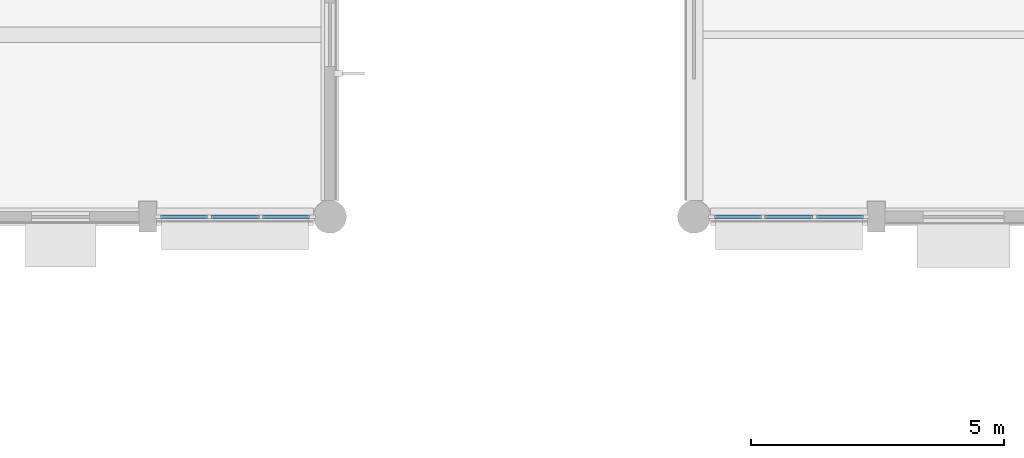
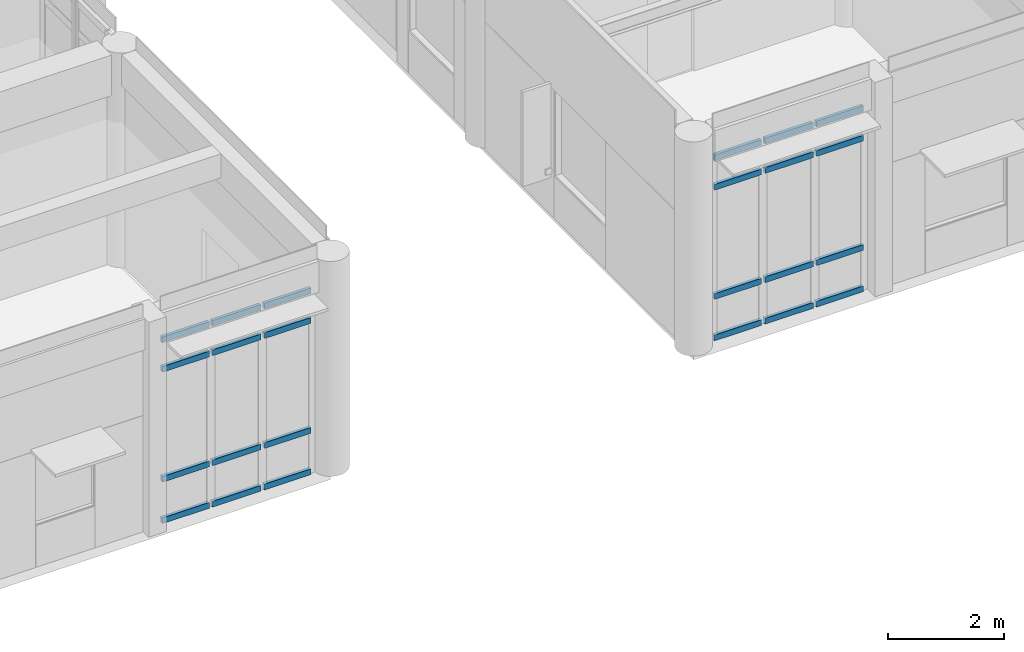
# One storey, part 32 of 92: 24 members, 2 elements without a shape of their own.
"""IFC4 building model written with IfcOpenShell, lengths in metres."""

from ifc_helpers import new_model, si_unit, direction, frame, origin, origin_2d, place, context, subcontext, project, spatial, rectangle, extrude, material, layer, layer_set, material_profile, profile_set, type_object, element, aggregate, save


model = new_model("IFC4")

# Units and contexts
model_context = context("Model", 3, precision=1e-05, world=origin(), true_north=direction((0.0, 1.0)))
body_context = subcontext(model_context, "Body", "Model", "MODEL_VIEW")
ifc_project = project(units=[si_unit("LENGTHUNIT", "METRE"), si_unit("AREAUNIT", "SQUARE_METRE"), si_unit("VOLUMEUNIT", "CUBIC_METRE"), si_unit("PLANEANGLEUNIT", "RADIAN"), si_unit("MASSUNIT", "GRAM", prefix="KILO")], contexts=[model_context])

# Site, building, storey
site_placement = place(None, origin())
site = spatial("IfcSite", under=ifc_project, at=site_placement, CompositionType="ELEMENT")
building_placement = place(site_placement, origin())
building = spatial("IfcBuilding", under=site, at=building_placement, Name="Namkhue Oval Health Centre", CompositionType="ELEMENT")
storey_placement = place(building_placement, frame((0.0, 0.0, 4.800048828125)))
storey = spatial("IfcBuildingStorey", under=building, at=storey_placement, Name="L01", CompositionType="ELEMENT", Elevation=4.800048828125)

# Curtain wall, members
ifc_material = material(Name="Anodised aluminium EN AW-6063 T6", Category="aluminium")
ifc_layer = layer(ifc_material, 0.159912109375)
ifc_layer_set = layer_set([ifc_layer], Name="Anodised aluminium EN AW-6063 T6")
curtain_wall_type = type_object("IfcCurtainWallType", Name="UNITISED CURTAIN WALL M1200", PredefinedType="NOTDEFINED", material=ifc_layer_set)
curtain_wall_1_placement = place(storey_placement, origin())
curtain_wall_1 = element("IfcCurtainWall", 1, at=curtain_wall_1_placement, inside=storey, type_object=curtain_wall_type, Name="Volume V4 L01 Unitised Curtain Wall 151", PredefinedType="NOTDEFINED")
ifc_material_profile = material_profile(ifc_material, rectangle(XDim=0.06494140625, YDim=0.1201171875, at=origin_2d()), Name="ALU 65x120")
ifc_profile_set = profile_set([ifc_material_profile], Name="Anodised aluminium EN AW-6063 T6")
member_type = type_object("IfcMemberType", Name="CURTAIN WALL TRANSOM 65X120", PredefinedType="USERDEFINED", material=ifc_profile_set)
member_1_placement = place(storey_placement, frame((83.051025390625, 14.39990234375, 0.032470703125), z_axis=(1.0, 0.0, 0.0), x_axis=(0.0, 1.0, 0.0)))
member_1 = element("IfcMember", 2, at=member_1_placement, type_object=member_type, Name="CW-01 transom 1.1", ObjectType="TRANSOM", PredefinedType="USERDEFINED", context=body_context, shape_type="SweptSolid", body=[
    extrude(rectangle(XDim=0.06494140625, YDim=0.1201171875, at=origin_2d()), origin(), (0.0, 0.0, 1.0), 0.9287109375),
])
member_2_placement = place(storey_placement, frame((83.051025390625, 14.39990234375, 0.89990234375), z_axis=(1.0, 0.0, 0.0), x_axis=(0.0, 1.0, 0.0)))
member_2 = element("IfcMember", 3, at=member_2_placement, type_object=member_type, Name="CW-01 transom 1.2", ObjectType="TRANSOM", PredefinedType="USERDEFINED", context=body_context, shape_type="SweptSolid", body=[
    extrude(rectangle(XDim=0.06494140625, YDim=0.1201171875, at=origin_2d()), origin(), (0.0, 0.0, 1.0), 0.9287109375),
])
member_3_placement = place(storey_placement, frame((83.051025390625, 14.39990234375, 3.204833984375), z_axis=(1.0, 0.0, 0.0), x_axis=(0.0, 1.0, 0.0)))
member_3 = element("IfcMember", 4, at=member_3_placement, type_object=member_type, Name="CW-01 transom 1.3", ObjectType="TRANSOM", PredefinedType="USERDEFINED", context=body_context, shape_type="SweptSolid", body=[
    extrude(rectangle(XDim=0.06494140625, YDim=0.1201171875, at=origin_2d()), origin(), (0.0, 0.0, 1.0), 0.9287109375),
])
member_4_placement = place(storey_placement, frame((83.051025390625, 14.39990234375, 3.822509765625), z_axis=(1.0, 0.0, 0.0), x_axis=(0.0, 1.0, 0.0)))
member_4 = element("IfcMember", 5, at=member_4_placement, type_object=member_type, Name="CW-01 transom 1.4", ObjectType="TRANSOM", PredefinedType="USERDEFINED", context=body_context, shape_type="SweptSolid", body=[
    extrude(rectangle(XDim=0.06494140625, YDim=0.1201171875, at=origin_2d()), origin(), (0.0, 0.0, 1.0), 0.9287109375),
])
member_5_placement = place(storey_placement, frame((84.044921875, 14.39990234375, 0.032470703125), z_axis=(1.0, 0.0, 0.0), x_axis=(0.0, 1.0, 0.0)))
member_5 = element("IfcMember", 6, at=member_5_placement, type_object=member_type, Name="CW-01 transom 2.1", ObjectType="TRANSOM", PredefinedType="USERDEFINED", context=body_context, shape_type="SweptSolid", body=[
    extrude(rectangle(XDim=0.06494140625, YDim=0.1201171875, at=origin_2d()), origin(), (0.0, 0.0, 1.0), 0.961181640625),
])
member_6_placement = place(storey_placement, frame((84.044921875, 14.39990234375, 0.89990234375), z_axis=(1.0, 0.0, 0.0), x_axis=(0.0, 1.0, 0.0)))
member_6 = element("IfcMember", 7, at=member_6_placement, type_object=member_type, Name="CW-01 transom 2.2", ObjectType="TRANSOM", PredefinedType="USERDEFINED", context=body_context, shape_type="SweptSolid", body=[
    extrude(rectangle(XDim=0.06494140625, YDim=0.1201171875, at=origin_2d()), origin(), (0.0, 0.0, 1.0), 0.961181640625),
])
member_7_placement = place(storey_placement, frame((84.044921875, 14.39990234375, 3.204833984375), z_axis=(1.0, 0.0, 0.0), x_axis=(0.0, 1.0, 0.0)))
member_7 = element("IfcMember", 8, at=member_7_placement, type_object=member_type, Name="CW-01 transom 2.3", ObjectType="TRANSOM", PredefinedType="USERDEFINED", context=body_context, shape_type="SweptSolid", body=[
    extrude(rectangle(XDim=0.06494140625, YDim=0.1201171875, at=origin_2d()), origin(), (0.0, 0.0, 1.0), 0.961181640625),
])
member_8_placement = place(storey_placement, frame((84.044921875, 14.39990234375, 3.822509765625), z_axis=(1.0, 0.0, 0.0), x_axis=(0.0, 1.0, 0.0)))
member_8 = element("IfcMember", 9, at=member_8_placement, type_object=member_type, Name="CW-01 transom 2.4", ObjectType="TRANSOM", PredefinedType="USERDEFINED", context=body_context, shape_type="SweptSolid", body=[
    extrude(rectangle(XDim=0.06494140625, YDim=0.1201171875, at=origin_2d()), origin(), (0.0, 0.0, 1.0), 0.961181640625),
])
member_9_placement = place(storey_placement, frame((85.071044921875, 14.39990234375, 0.032470703125), z_axis=(1.0, 0.0, 0.0), x_axis=(0.0, 1.0, 0.0)))
member_9 = element("IfcMember", 10, at=member_9_placement, type_object=member_type, Name="CW-01 transom 3.1", ObjectType="TRANSOM", PredefinedType="USERDEFINED", context=body_context, shape_type="SweptSolid", body=[
    extrude(rectangle(XDim=0.06494140625, YDim=0.1201171875, at=origin_2d()), origin(), (0.0, 0.0, 1.0), 0.928955078125),
])
member_10_placement = place(storey_placement, frame((85.071044921875, 14.39990234375, 0.89990234375), z_axis=(1.0, 0.0, 0.0), x_axis=(0.0, 1.0, 0.0)))
member_10 = element("IfcMember", 11, at=member_10_placement, type_object=member_type, Name="CW-01 transom 3.2", ObjectType="TRANSOM", PredefinedType="USERDEFINED", context=body_context, shape_type="SweptSolid", body=[
    extrude(rectangle(XDim=0.06494140625, YDim=0.1201171875, at=origin_2d()), origin(), (0.0, 0.0, 1.0), 0.928955078125),
])
member_11_placement = place(storey_placement, frame((85.071044921875, 14.39990234375, 3.204833984375), z_axis=(1.0, 0.0, 0.0), x_axis=(0.0, 1.0, 0.0)))
member_11 = element("IfcMember", 12, at=member_11_placement, type_object=member_type, Name="CW-01 transom 3.3", ObjectType="TRANSOM", PredefinedType="USERDEFINED", context=body_context, shape_type="SweptSolid", body=[
    extrude(rectangle(XDim=0.06494140625, YDim=0.1201171875, at=origin_2d()), origin(), (0.0, 0.0, 1.0), 0.928955078125),
])
member_12_placement = place(storey_placement, frame((85.071044921875, 14.39990234375, 3.822509765625), z_axis=(1.0, 0.0, 0.0), x_axis=(0.0, 1.0, 0.0)))
member_12 = element("IfcMember", 13, at=member_12_placement, type_object=member_type, Name="CW-01 transom 3.4", ObjectType="TRANSOM", PredefinedType="USERDEFINED", context=body_context, shape_type="SweptSolid", body=[
    extrude(rectangle(XDim=0.06494140625, YDim=0.1201171875, at=origin_2d()), origin(), (0.0, 0.0, 1.0), 0.928955078125),
])
aggregate(curtain_wall_1, [member_1, member_2, member_3, member_4, member_5, member_6, member_7, member_8, member_9, member_10, member_11, member_12])

curtain_wall_2_placement = place(storey_placement, origin())
curtain_wall_2 = element("IfcCurtainWall", 14, at=curtain_wall_2_placement, inside=storey, type_object=curtain_wall_type, Name="Volume V5 L01 Unitised Curtain Wall 187", PredefinedType="NOTDEFINED")
member_13_placement = place(storey_placement, frame((94.0, 14.39990234375, 0.032470703125), z_axis=(1.0, 0.0, 0.0), x_axis=(0.0, 1.0, 0.0)))
member_13 = element("IfcMember", 15, at=member_13_placement, type_object=member_type, Name="CW-01 transom 1.1", ObjectType="TRANSOM", PredefinedType="USERDEFINED", context=body_context, shape_type="SweptSolid", body=[
    extrude(rectangle(XDim=0.06494140625, YDim=0.1201171875, at=origin_2d()), origin(), (0.0, 0.0, 1.0), 0.928955078125),
])
member_14_placement = place(storey_placement, frame((94.0, 14.39990234375, 0.89990234375), z_axis=(1.0, 0.0, 0.0), x_axis=(0.0, 1.0, 0.0)))
member_14 = element("IfcMember", 16, at=member_14_placement, type_object=member_type, Name="CW-01 transom 1.2", ObjectType="TRANSOM", PredefinedType="USERDEFINED", context=body_context, shape_type="SweptSolid", body=[
    extrude(rectangle(XDim=0.06494140625, YDim=0.1201171875, at=origin_2d()), origin(), (0.0, 0.0, 1.0), 0.928955078125),
])
member_15_placement = place(storey_placement, frame((94.0, 14.39990234375, 3.18994140625), z_axis=(1.0, 0.0, 0.0), x_axis=(0.0, 1.0, 0.0)))
member_15 = element("IfcMember", 17, at=member_15_placement, type_object=member_type, Name="CW-01 transom 1.3", ObjectType="TRANSOM", PredefinedType="USERDEFINED", context=body_context, shape_type="SweptSolid", body=[
    extrude(rectangle(XDim=0.06494140625, YDim=0.1201171875, at=origin_2d()), origin(), (0.0, 0.0, 1.0), 0.928955078125),
])
member_16_placement = place(storey_placement, frame((94.0, 14.39990234375, 3.807373046875), z_axis=(1.0, 0.0, 0.0), x_axis=(0.0, 1.0, 0.0)))
member_16 = element("IfcMember", 18, at=member_16_placement, type_object=member_type, Name="CW-01 transom 1.4", ObjectType="TRANSOM", PredefinedType="USERDEFINED", context=body_context, shape_type="SweptSolid", body=[
    extrude(rectangle(XDim=0.06494140625, YDim=0.1201171875, at=origin_2d()), origin(), (0.0, 0.0, 1.0), 0.928955078125),
])
member_17_placement = place(storey_placement, frame((94.993896484375, 14.39990234375, 0.032470703125), z_axis=(1.0, 0.0, 0.0), x_axis=(0.0, 1.0, 0.0)))
member_17 = element("IfcMember", 19, at=member_17_placement, type_object=member_type, Name="CW-01 transom 2.1", ObjectType="TRANSOM", PredefinedType="USERDEFINED", context=body_context, shape_type="SweptSolid", body=[
    extrude(rectangle(XDim=0.06494140625, YDim=0.1201171875, at=origin_2d()), origin(), (0.0, 0.0, 1.0), 0.961181640625),
])
member_18_placement = place(storey_placement, frame((94.993896484375, 14.39990234375, 0.89990234375), z_axis=(1.0, 0.0, 0.0), x_axis=(0.0, 1.0, 0.0)))
member_18 = element("IfcMember", 20, at=member_18_placement, type_object=member_type, Name="CW-01 transom 2.2", ObjectType="TRANSOM", PredefinedType="USERDEFINED", context=body_context, shape_type="SweptSolid", body=[
    extrude(rectangle(XDim=0.06494140625, YDim=0.1201171875, at=origin_2d()), origin(), (0.0, 0.0, 1.0), 0.961181640625),
])
member_19_placement = place(storey_placement, frame((94.993896484375, 14.39990234375, 3.18994140625), z_axis=(1.0, 0.0, 0.0), x_axis=(0.0, 1.0, 0.0)))
member_19 = element("IfcMember", 21, at=member_19_placement, type_object=member_type, Name="CW-01 transom 2.3", ObjectType="TRANSOM", PredefinedType="USERDEFINED", context=body_context, shape_type="SweptSolid", body=[
    extrude(rectangle(XDim=0.06494140625, YDim=0.1201171875, at=origin_2d()), origin(), (0.0, 0.0, 1.0), 0.961181640625),
])
member_20_placement = place(storey_placement, frame((94.993896484375, 14.39990234375, 3.807373046875), z_axis=(1.0, 0.0, 0.0), x_axis=(0.0, 1.0, 0.0)))
member_20 = element("IfcMember", 22, at=member_20_placement, type_object=member_type, Name="CW-01 transom 2.4", ObjectType="TRANSOM", PredefinedType="USERDEFINED", context=body_context, shape_type="SweptSolid", body=[
    extrude(rectangle(XDim=0.06494140625, YDim=0.1201171875, at=origin_2d()), origin(), (0.0, 0.0, 1.0), 0.961181640625),
])
member_21_placement = place(storey_placement, frame((96.020263671875, 14.39990234375, 0.032470703125), z_axis=(1.0, 0.0, 0.0), x_axis=(0.0, 1.0, 0.0)))
member_21 = element("IfcMember", 23, at=member_21_placement, type_object=member_type, Name="CW-01 transom 3.1", ObjectType="TRANSOM", PredefinedType="USERDEFINED", context=body_context, shape_type="SweptSolid", body=[
    extrude(rectangle(XDim=0.06494140625, YDim=0.1201171875, at=origin_2d()), origin(), (0.0, 0.0, 1.0), 0.9287109375),
])
member_22_placement = place(storey_placement, frame((96.020263671875, 14.39990234375, 0.89990234375), z_axis=(1.0, 0.0, 0.0), x_axis=(0.0, 1.0, 0.0)))
member_22 = element("IfcMember", 24, at=member_22_placement, type_object=member_type, Name="CW-01 transom 3.2", ObjectType="TRANSOM", PredefinedType="USERDEFINED", context=body_context, shape_type="SweptSolid", body=[
    extrude(rectangle(XDim=0.06494140625, YDim=0.1201171875, at=origin_2d()), origin(), (0.0, 0.0, 1.0), 0.9287109375),
])
member_23_placement = place(storey_placement, frame((96.020263671875, 14.39990234375, 3.18994140625), z_axis=(1.0, 0.0, 0.0), x_axis=(0.0, 1.0, 0.0)))
member_23 = element("IfcMember", 25, at=member_23_placement, type_object=member_type, Name="CW-01 transom 3.3", ObjectType="TRANSOM", PredefinedType="USERDEFINED", context=body_context, shape_type="SweptSolid", body=[
    extrude(rectangle(XDim=0.06494140625, YDim=0.1201171875, at=origin_2d()), origin(), (0.0, 0.0, 1.0), 0.9287109375),
])
member_24_placement = place(storey_placement, frame((96.020263671875, 14.39990234375, 3.807373046875), z_axis=(1.0, 0.0, 0.0), x_axis=(0.0, 1.0, 0.0)))
member_24 = element("IfcMember", 26, at=member_24_placement, type_object=member_type, Name="CW-01 transom 3.4", ObjectType="TRANSOM", PredefinedType="USERDEFINED", context=body_context, shape_type="SweptSolid", body=[
    extrude(rectangle(XDim=0.06494140625, YDim=0.1201171875, at=origin_2d()), origin(), (0.0, 0.0, 1.0), 0.9287109375),
])
aggregate(curtain_wall_2, [member_13, member_14, member_15, member_16, member_17, member_18, member_19, member_20, member_21, member_22, member_23, member_24])

save(model, "model.ifc")
